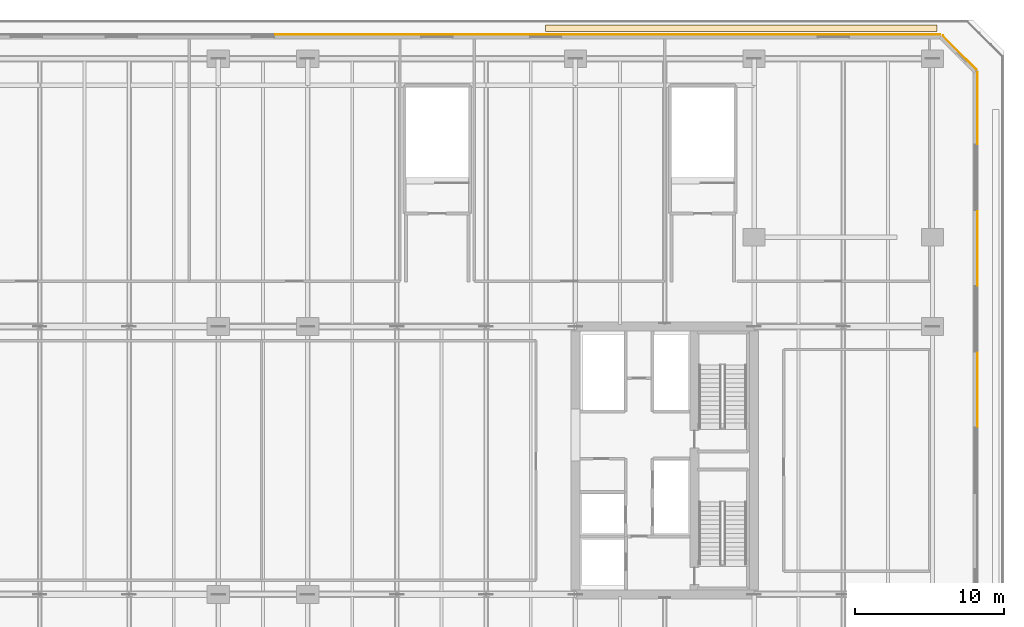
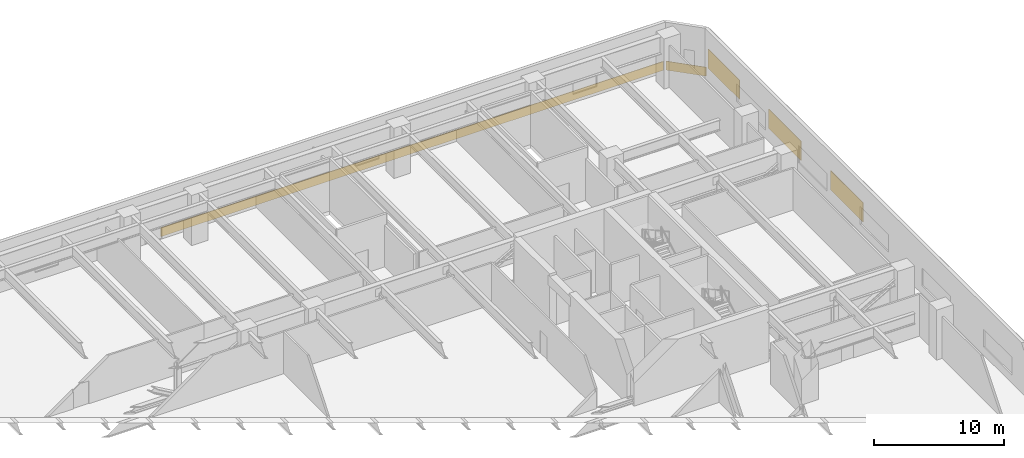
# One storey, part 25 of 25: 6 coverings.
"""IFC4 building model written with IfcOpenShell, lengths in metres."""

from ifc_helpers import new_model, si_unit, direction, frame, origin, origin_2d, place, context, subcontext, project, spatial, polyline, rectangle, outline, extrude, material, layer, layer_set, type_object, element, save


model = new_model("IFC4")

# Units and contexts
model_context = context("Model", 3, precision=1e-05, world=origin(), true_north=direction((0.0, 1.0)))
body_context = subcontext(model_context, "Body", "Model", "MODEL_VIEW")
ifc_project = project(units=[si_unit("LENGTHUNIT", "METRE"), si_unit("AREAUNIT", "SQUARE_METRE"), si_unit("VOLUMEUNIT", "CUBIC_METRE"), si_unit("PLANEANGLEUNIT", "RADIAN"), si_unit("MASSUNIT", "GRAM", prefix="KILO")], contexts=[model_context])

# Site, building, storey
site_placement = place(None, origin())
site = spatial("IfcSite", under=ifc_project, at=site_placement, CompositionType="ELEMENT")
building_placement = place(site_placement, origin())
building = spatial("IfcBuilding", under=site, at=building_placement, Name="Tanjung Sevakor Pilgrim Tower", CompositionType="ELEMENT")
storey_placement = place(building_placement, frame((0.0, 0.0, 24.090087890625)))
storey = spatial("IfcBuildingStorey", under=building, at=storey_placement, Name="L06", CompositionType="ELEMENT", Elevation=24.090087890625)

# Coverings
ifc_material_1 = material(Name="Reconstructed Limestone Cladding", Category="masonry")
ifc_layer_1 = layer(ifc_material_1, 0.044921875)
ifc_layer_set_1 = layer_set([ifc_layer_1], Name="COV-CLAD-LIMESTONE")
covering_type_1 = type_object("IfcCoveringType", Name="COV-CLAD-LIMESTONE", PredefinedType="CLADDING", material=ifc_layer_set_1)
for number, where, z_axis, x_axis, name in (
    (1, (105.0224609375, 38.35009765625, 0.849853515625), (0.0, 0.0, 1.0), (0.0, 1.0, 0.0), "L06 Warm Limestone Pier Panel EW-L06-MAIN-3-4"),
    (2, (105.0224609375, 47.85009765625, 0.849853515625), (0.0, 0.0, 1.0), (0.0, 1.0, 0.0), "L06 Warm Limestone Pier Panel EW-L06-MAIN-3-5"),
):
    element("IfcCovering", number, at=place(storey_placement, frame(where, z_axis=z_axis, x_axis=x_axis)), inside=storey, type_object=covering_type_1, Name=name, PredefinedType="CLADDING", context=body_context, shape_type="SweptSolid", body=[
        extrude(rectangle(XDim=5.0, YDim=0.044921875, at=origin_2d()), origin(), (0.0, 0.0, 1.0), 1.81005859375),
    ])
covering_1_placement = place(storey_placement, frame((105.0224609375, 57.27587890625, 0.849853515625), z_axis=(0.0, 0.0, 1.0), x_axis=(0.0, 1.0, 0.0)))
element("IfcCovering", 3, at=covering_1_placement, inside=storey, type_object=covering_type_1, Name="L06 Warm Limestone Pier Panel EW-L06-MAIN-3-6", PredefinedType="CLADDING", context=body_context, shape_type="SweptSolid", body=[
    extrude(rectangle(XDim=4.85205078125, YDim=0.044921875, at=origin_2d()), origin(), (0.0, 0.0, 1.0), 1.81005859375),
])
covering_2_placement = place(storey_placement, frame((103.81591796875, 61.015869140625, 0.009765625), z_axis=(0.0, 0.0, 1.0), x_axis=(-0.707106781187, 0.707106781187, 0.0)))
element("IfcCovering", 4, at=covering_2_placement, inside=storey, type_object=covering_type_1, Name="L06 Warm Limestone Sill Spandrel EW-L06-MAIN-4-1", PredefinedType="CLADDING", context=body_context, shape_type="SweptSolid", body=[
    extrude(rectangle(XDim=3.197998046875, YDim=0.044921875, at=origin_2d()), origin(), (0.0, 0.0, 1.0), 0.840087890625),
])
covering_3_placement = place(storey_placement, frame((80.156005859375, 62.222412109375, 0.009765625), z_axis=(0.0, 0.0, 1.0), x_axis=(-1.0, 0.0, 0.0)))
element("IfcCovering", 5, at=covering_3_placement, inside=storey, type_object=covering_type_1, Name="L06 Warm Limestone Sill Spandrel EW-L06-MAIN-5-1", PredefinedType="CLADDING", context=body_context, shape_type="SweptSolid", body=[
    extrude(rectangle(XDim=44.69189453125, YDim=0.044921875, at=origin_2d()), origin(), (0.0, 0.0, 1.0), 0.840087890625),
])
ifc_material_2 = material(Name="Vegetated Modular Planter Assembly", Category="organic")
ifc_layer_2 = layer(ifc_material_2, 0.35009765625)
ifc_layer_set_2 = layer_set([ifc_layer_2], Name="COV-GRN-TROUGH")
covering_type_2 = type_object("IfcCoveringType", Name="COV-GRN-TROUGH", PredefinedType="CLADDING", material=ifc_layer_set_2)
covering_4_placement = place(storey_placement, origin())
element("IfcCovering", 6, at=covering_4_placement, inside=storey, type_object=covering_type_2, Name="L06 Planted Landscape Hedge Trough PGRN-L06-NE", PredefinedType="CLADDING", context=body_context, shape_type="SweptSolid", body=[
    extrude(outline(polyline([(76.0, 62.429931640625), (102.300048828125, 62.429931640625), (102.300048828125, 62.8701171875), (76.0, 62.8701171875), (76.0, 62.429931640625)])), origin(), (0.0, 0.0, 1.0), 0.349853515625),
])

save(model, "model.ifc")
